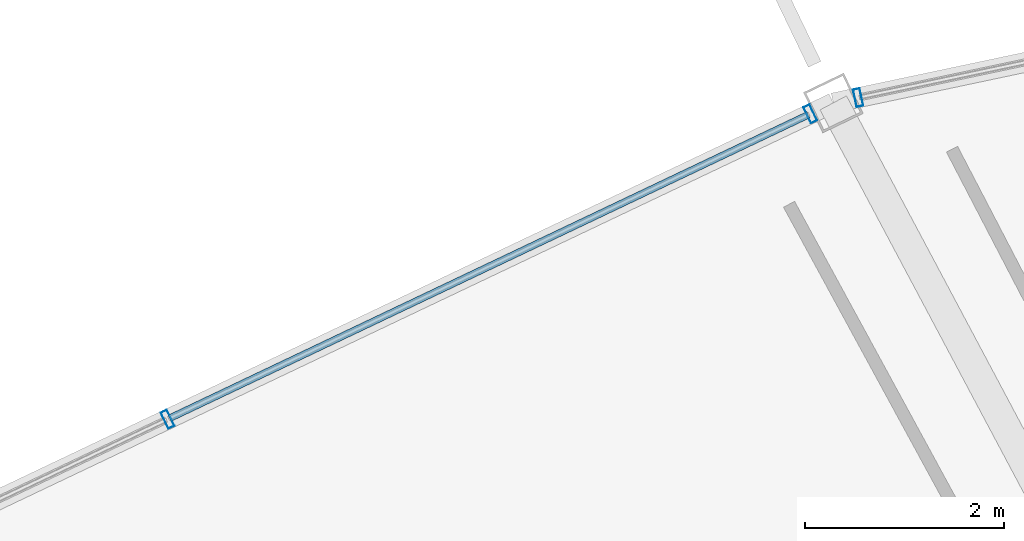
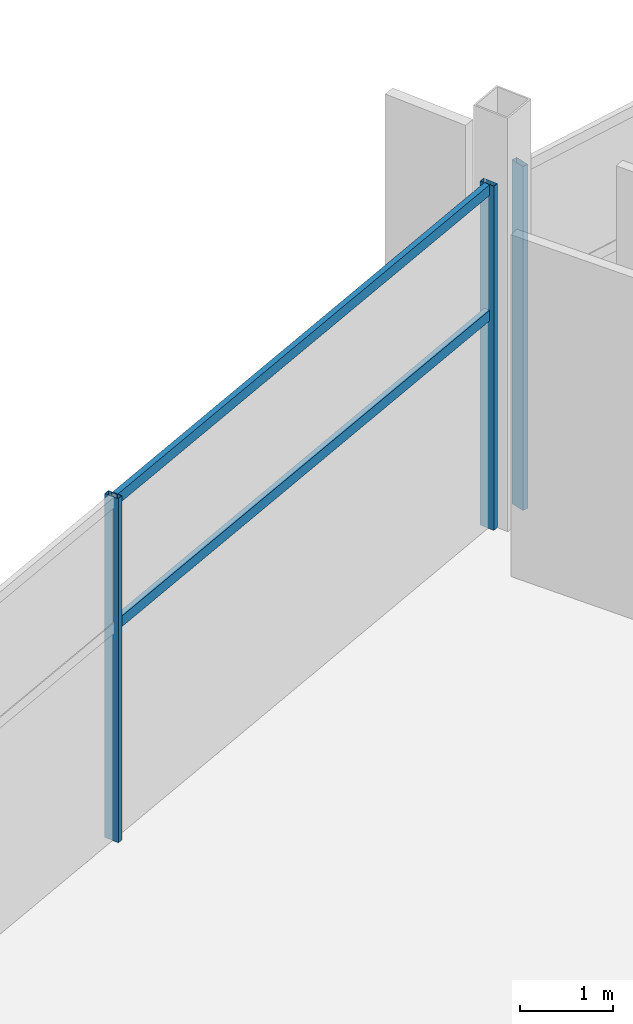
# One storey, part 93 of 186: 5 members, 2 elements without a shape of their own.
"""IFC4 building model written with IfcOpenShell, lengths in metres."""

from ifc_helpers import new_model, si_unit, direction, frame, origin, origin_2d, place, context, subcontext, project, spatial, hollow_rectangle, extrude, material, layer, layer_set, material_profile, profile_set, type_object, element, aggregate, save


model = new_model("IFC4")

# Units and contexts
model_context = context("Model", 3, precision=1e-05, world=origin(), true_north=direction((0.0, 1.0)))
body_context = subcontext(model_context, "Body", "Model", "MODEL_VIEW")
ifc_project = project(units=[si_unit("LENGTHUNIT", "METRE"), si_unit("AREAUNIT", "SQUARE_METRE"), si_unit("VOLUMEUNIT", "CUBIC_METRE"), si_unit("PLANEANGLEUNIT", "RADIAN"), si_unit("MASSUNIT", "GRAM", prefix="KILO")], contexts=[model_context])

# Site, building, storey
site_placement = place(None, origin())
site = spatial("IfcSite", under=ifc_project, at=site_placement, CompositionType="ELEMENT")
building_placement = place(site_placement, origin())
building = spatial("IfcBuilding", under=site, at=building_placement, Name="Kazemori Nagisa Stadium", CompositionType="ELEMENT")
storey_placement = place(building_placement, frame((0.0, 0.0, 20.39990234375)))
storey = spatial("IfcBuildingStorey", under=building, at=storey_placement, Name="L04", CompositionType="ELEMENT", Elevation=20.39990234375)

# Curtain wall, member
ifc_material_1 = material(Name="Anodised aluminium 6063-T5", Category="aluminium")
ifc_layer = layer(ifc_material_1, 0.179931640625, Name="Anodised aluminium 6063-T5", Category="aluminium")
ifc_layer_set = layer_set([ifc_layer], Name="Anodised aluminium 6063-T5")
curtain_wall_type = type_object("IfcCurtainWallType", Name="CW_L04R3_107", PredefinedType="USERDEFINED", material=ifc_layer_set)
curtain_wall_1_placement = place(storey_placement, origin())
curtain_wall_1 = element("IfcCurtainWall", 1, at=curtain_wall_1_placement, inside=storey, type_object=curtain_wall_type, Name="Unitised curtain wall CW-L04R3-107 L04", ObjectType="UNITISED CURTAIN WALL", PredefinedType="USERDEFINED")
ifc_material_2 = material(Name="Aluminium 6063-T5 anodised", Category="aluminium")
ifc_material_profile_1 = material_profile(ifc_material_2, hollow_rectangle(XDim=0.070068359375, YDim=0.179931640625, WallThickness=0.00390625, at=origin_2d()), Name="ALU-MULL-70x180x4")
ifc_profile_set_1 = profile_set([ifc_material_profile_1], Name="Aluminium 6063-T5 anodised")
member_type_1 = type_object("IfcMemberType", Name="Mullion_M01", PredefinedType="MULLION", material=ifc_profile_set_1)
member_1_placement = place(storey_placement, frame((80.44482421875, 182.51708984375, 0.0), z_axis=(0.0, 0.0, 1.0), x_axis=(-0.978344955407, -0.206981033502, 0.0)))
member_1 = element("IfcMember", 2, at=member_1_placement, type_object=member_type_1, Name="Curtain wall mullion CW-L04R3-107-M4", PredefinedType="MULLION", context=body_context, shape_type="SweptSolid", body=[
    extrude(hollow_rectangle(XDim=0.070068359375, YDim=0.179931640625, WallThickness=0.00390625, at=origin_2d()), origin(), (0.0, 0.0, 1.0), 4.530029296875),
])
aggregate(curtain_wall_1, [member_1])

# Curtain wall, members
curtain_wall_2_placement = place(storey_placement, origin())
curtain_wall_2 = element("IfcCurtainWall", 3, at=curtain_wall_2_placement, inside=storey, type_object=curtain_wall_type, Name="Unitised curtain wall CW-L04R3-107 L04", ObjectType="UNITISED CURTAIN WALL", PredefinedType="USERDEFINED")
member_2_placement = place(storey_placement, frame((79.96484375, 182.354736328125, 0.0), z_axis=(0.0, 0.0, 1.0), x_axis=(-0.903215892654, -0.429186499388, 0.0)))
member_2 = element("IfcMember", 4, at=member_2_placement, type_object=member_type_1, Name="Curtain wall mullion CW-L04R3-107-M1", PredefinedType="MULLION", context=body_context, shape_type="SweptSolid", body=[
    extrude(hollow_rectangle(XDim=0.070068359375, YDim=0.179931640625, WallThickness=0.00390625, at=origin_2d()), origin(), (0.0, 0.0, 1.0), 4.530029296875),
])
member_3_placement = place(storey_placement, frame((73.520751953125, 179.292724609375, 0.0), z_axis=(0.0, 0.0, 1.0), x_axis=(-0.903215892654, -0.429186499388, 0.0)))
member_3 = element("IfcMember", 5, at=member_3_placement, type_object=member_type_1, Name="Curtain wall mullion CW-L04R3-107-M2", PredefinedType="MULLION", context=body_context, shape_type="SweptSolid", body=[
    extrude(hollow_rectangle(XDim=0.070068359375, YDim=0.179931640625, WallThickness=0.00390625, at=origin_2d()), origin(), (0.0, 0.0, 1.0), 4.530029296875),
])
ifc_material_profile_2 = material_profile(ifc_material_2, hollow_rectangle(XDim=0.070068359375, YDim=0.139892578125, WallThickness=0.00390625, at=origin_2d()), Name="ALU-TRAN-70x140x4")
ifc_profile_set_2 = profile_set([ifc_material_profile_2], Name="Aluminium 6063-T5 anodised")
member_type_2 = type_object("IfcMemberType", Name="Transom_T01", PredefinedType="USERDEFINED", material=ifc_profile_set_2)
member_4_placement = place(storey_placement, frame((79.94677734375, 182.34619140625, 2.80859375), z_axis=(-0.903215145866, -0.429188070989, 0.0), x_axis=(0.429188070989, -0.903215145866, 0.0)))
member_4 = element("IfcMember", 6, at=member_4_placement, type_object=member_type_2, Name="Curtain wall transom CW-L04R3-107-T1-mid", ObjectType="TRANSOM", PredefinedType="USERDEFINED", context=body_context, shape_type="SweptSolid", body=[
    extrude(hollow_rectangle(XDim=0.070068359375, YDim=0.139892578125, WallThickness=0.00390625, at=origin_2d()), origin(), (0.0, 0.0, 1.0), 7.0947265625),
])
member_5_placement = place(storey_placement, frame((79.94677734375, 182.34619140625, 4.460205078125), z_axis=(-0.903215145866, -0.429188070989, 0.0), x_axis=(0.429188070989, -0.903215145866, 0.0)))
member_5 = element("IfcMember", 7, at=member_5_placement, type_object=member_type_2, Name="Curtain wall transom CW-L04R3-107-T1-head", ObjectType="TRANSOM", PredefinedType="USERDEFINED", context=body_context, shape_type="SweptSolid", body=[
    extrude(hollow_rectangle(XDim=0.070068359375, YDim=0.139892578125, WallThickness=0.00390625, at=origin_2d()), origin(), (0.0, 0.0, 1.0), 7.0947265625),
])
aggregate(curtain_wall_2, [member_2, member_3, member_4, member_5])

save(model, "model.ifc")
